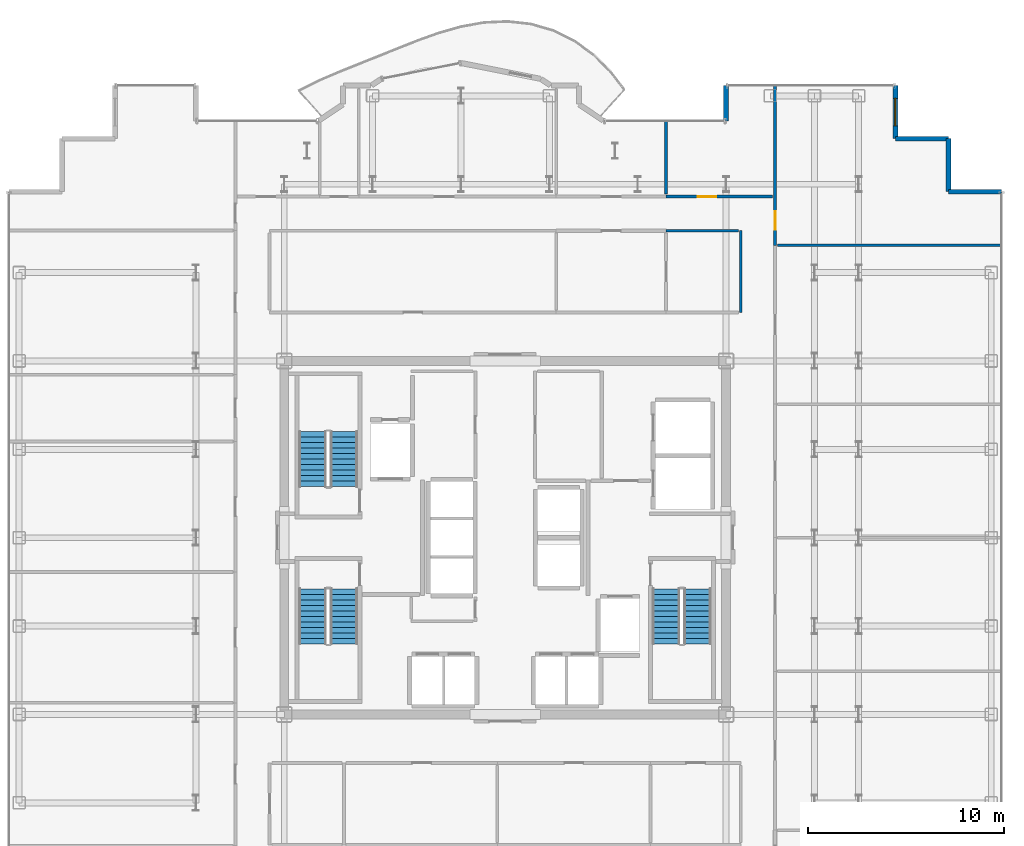
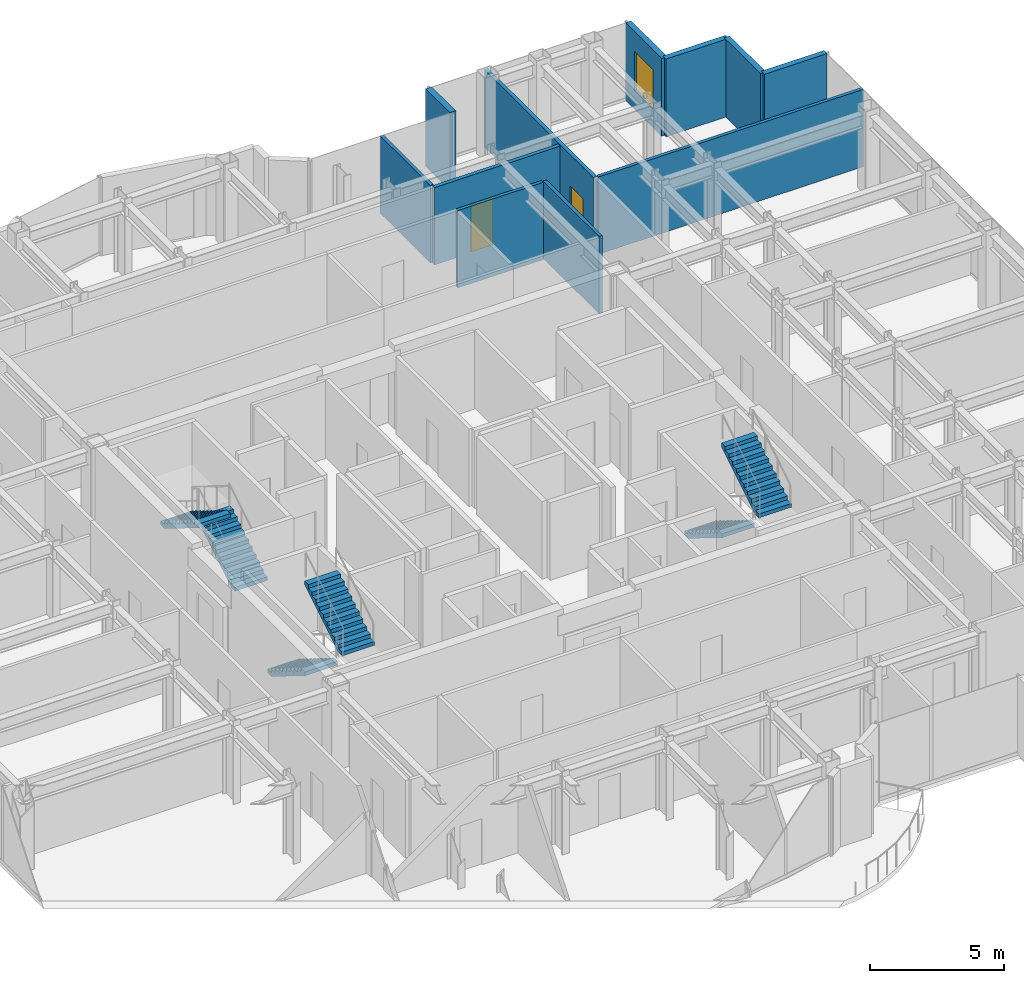
# One storey, part 19 of 21: 11 walls, 6 stair flights, 2 doors, 1 window, 3 openings, 3 elements without a shape of their own.
"""IFC4 building model written with IfcOpenShell, lengths in metres."""

from ifc_helpers import new_model, si_unit, direction, frame, frame_2d, origin, place, context, subcontext, project, spatial, polyline, rectangle, outline, extrude, source, transform, mapped, material, layer, layer_set, type_object, element, fill, aggregate, save


model = new_model("IFC4")

# Units and contexts
model_context = context("Model", 3, precision=1e-05, world=origin(), true_north=direction((0.0, 1.0)))
body_context = subcontext(model_context, "Body", "Model", "MODEL_VIEW")
ifc_project = project(units=[si_unit("LENGTHUNIT", "METRE"), si_unit("AREAUNIT", "SQUARE_METRE"), si_unit("VOLUMEUNIT", "CUBIC_METRE"), si_unit("PLANEANGLEUNIT", "RADIAN"), si_unit("MASSUNIT", "GRAM", prefix="KILO")], contexts=[model_context])

# Site, building, storey
site_placement = place(None, origin())
site = spatial("IfcSite", under=ifc_project, at=site_placement, CompositionType="ELEMENT")
building_placement = place(site_placement, origin())
building = spatial("IfcBuilding", under=site, at=building_placement, Name="Nefas-Gora Pilgrimage Tower", CompositionType="ELEMENT")
storey_placement = place(building_placement, frame((0.0, 0.0, 210.39990234375)))
storey = spatial("IfcBuildingStorey", under=building, at=storey_placement, Name="L52", CompositionType="ELEMENT", Elevation=210.39990234375)

# Walls
ifc_material_1 = material(Name="Precast concrete C40/50", Category="concrete")
ifc_layer_1 = layer(ifc_material_1, 0.260009765625)
ifc_layer_set_1 = layer_set([ifc_layer_1], Name="Precast concrete C40/50")
wall_type_1 = type_object("IfcWallType", Name="EW-PORTAL-260", PredefinedType="SOLIDWALL", material=ifc_layer_set_1)
shared_shape_1 = source(origin(), body_context, "Body", "SweptSolid", [
    extrude(rectangle(XDim=1.800048828125, YDim=0.260009765625, at=frame_2d((0.89990234375, 0.0))), origin(), (0.0, 0.0, 1.0), 3.550048828125),
])
wall_1_placement = place(storey_placement, frame((11.25, 23.02001953125, 0.0), z_axis=(0.0, 0.0, 1.0), x_axis=(0.0, -1.0, 0.0)))
element("IfcWall", 1, at=wall_1_placement, inside=storey, type_object=wall_type_1, Name="L52 Lobe Shoulder Precast Spandrel Pier 10", PredefinedType="SOLIDWALL", context=body_context, shape_type="MappedRepresentation", body=[
    mapped(shared_shape_1, transform((0.0, 0.0, 0.0), x_axis=(1.0, 0.0, 0.0), y_axis=(0.0, 1.0, 0.0), z_axis=(0.0, 0.0, 1.0), scale=1.0)),
])
ifc_material_2 = material(Name="Precast concrete C45/55", Category="concrete")
ifc_layer_2 = layer(ifc_material_2, 0.239990234375)
ifc_layer_set_2 = layer_set([ifc_layer_2], Name="Precast concrete C45/55")
wall_type_2 = type_object("IfcWallType", Name="EW-SERR-240", PredefinedType="SHEAR", material=ifc_layer_set_2)
shared_shape_2 = source(origin(), body_context, "Body", "SweptSolid", [
    extrude(rectangle(XDim=2.699951171875, YDim=0.239990234375, at=frame_2d((1.35009765625, 0.0))), origin(), (0.0, 0.0, 1.0), 3.550048828125),
])
for number, where, z_axis, x_axis, name in (
    (2, (25.27001953125, 17.6201171875, 0.0), (0.0, 0.0, 1.0), (-1.0, 0.0, 0.0), "L52 Serrated Corner Shear Pier Wall 6"),
    (3, (22.570068359375, 17.6201171875, 0.0), (0.0, 0.0, 1.0), (0.0, 1.0, 0.0), "L52 Serrated Corner Shear Pier Wall 7"),
    (4, (22.570068359375, 20.320068359375, 0.0), (0.0, 0.0, 1.0), (-1.0, 0.0, 0.0), "L52 Serrated Corner Shear Pier Wall 8"),
):
    element("IfcWall", number, at=place(storey_placement, frame(where, z_axis=z_axis, x_axis=x_axis)), inside=storey, type_object=wall_type_2, Name=name, PredefinedType="SHEAR", context=body_context, shape_type="MappedRepresentation", body=[
        mapped(shared_shape_2, transform((0.0, 0.0, 0.0), x_axis=(1.0, 0.0, 0.0), y_axis=(0.0, 1.0, 0.0), z_axis=(0.0, 0.0, 1.0), scale=1.0)),
    ])

# Wall, opening, window
wall_2_placement = place(storey_placement, frame((19.8701171875, 20.320068359375, 0.0), z_axis=(0.0, 0.0, 1.0), x_axis=(0.0, 1.0, 0.0)))
wall_2 = element("IfcWall", 5, at=wall_2_placement, inside=storey, type_object=wall_type_2, Name="L52 Serrated Corner Shear Pier Wall 9", PredefinedType="SHEAR", context=body_context, shape_type="MappedRepresentation", body=[
    mapped(shared_shape_2, transform((0.0, 0.0, 0.0), x_axis=(1.0, 0.0, 0.0), y_axis=(0.0, 1.0, 0.0), z_axis=(0.0, 0.0, 1.0), scale=1.0)),
])
opening_1_placement = place(wall_2_placement, frame((0.64990234375, 0.0, 0.85009765625)))
opening_1 = element("IfcOpeningElement", 6, at=opening_1_placement, cuts=wall_2, Name="Opening W-V2", PredefinedType="OPENING", context=body_context, shape_type="SweptSolid", body=[
    extrude(rectangle(XDim=1.39990234375, YDim=1.800048828125, at=frame_2d((0.699951171875, 0.89990234375))), frame((0.0, 0.1298828125, 0.0), z_axis=(0.0, -1.0, 0.0), x_axis=(1.0, 0.0, 0.0)), (0.0, 0.0, 1.0), 0.260009765625),
])
ifc_material_3 = material(Name="Dark ceramic-fritted operable aluminium-glass window", Category="aluminium")
window_type = type_object("IfcWindowType", Name="WIN-VENT-1400x1800", PartitioningType="SINGLE_PANEL", PredefinedType="WINDOW", material=ifc_material_3)
shared_shape_3 = source(origin(), body_context, "Body", "SweptSolid", [
    extrude(rectangle(XDim=1.39990234375, YDim=1.800048828125, at=frame_2d((0.699951171875, 0.89990234375))), frame((0.0, 0.030029296875, 0.0), z_axis=(0.0, -1.0, 0.0), x_axis=(1.0, 0.0, 0.0)), (0.0, 0.0, 1.0), 0.06005859375),
])
window_placement = place(opening_1_placement, origin())
window = element("IfcWindow", 7, at=window_placement, inside=storey, type_object=window_type, Name="L52 Operable Parallel-Outswing Window 9", OverallHeight=1.800048828125, OverallWidth=1.39990234375, PartitioningType="SINGLE_PANEL", PredefinedType="WINDOW", context=body_context, shape_type="MappedRepresentation", body=[
    mapped(shared_shape_3, transform((0.0, 0.0, 0.0), x_axis=(1.0, 0.0, 0.0), y_axis=(0.0, 1.0, 0.0), z_axis=(0.0, 0.0, 1.0), scale=1.0)),
])
fill(opening_1, window)

# Wall, opening, door
ifc_material_4 = material(Name="Gypsum acoustic stud partition")
ifc_layer_3 = layer(ifc_material_4, 0.159912109375)
ifc_layer_set_3 = layer_set([ifc_layer_3], Name="Gypsum acoustic stud partition")
wall_type_3 = type_object("IfcWallType", Name="IW-CORR-160", PredefinedType="PARTITIONING", material=ifc_layer_set_3)
shared_shape_4 = source(origin(), body_context, "Body", "SweptSolid", [
    extrude(rectangle(XDim=5.425048828125, YDim=0.159912109375, at=frame_2d((2.71240234375, 0.0))), origin(), (0.0, 0.0, 1.0), 3.53515625),
])
wall_3_placement = place(storey_placement, frame((8.195068359375, 17.3701171875, 0.0), z_axis=(0.0, 0.0, 1.0), x_axis=(1.0, 0.0, 0.0)))
wall_3 = element("IfcWall", 8, at=wall_3_placement, inside=storey, type_object=wall_type_3, Name="L52 Pilgrim Contemplative Lounge Partition Wall 64", PredefinedType="PARTITIONING", context=body_context, shape_type="MappedRepresentation", body=[
    mapped(shared_shape_4, transform((0.0, 0.0, 0.0), x_axis=(1.0, 0.0, 0.0), y_axis=(0.0, 1.0, 0.0), z_axis=(0.0, 0.0, 1.0), scale=1.0)),
])
opening_2_placement = place(wall_3_placement, frame((1.611083984375, 0.0, 0.0)))
opening_2 = element("IfcOpeningElement", 9, at=opening_2_placement, cuts=wall_3, Name="Opening ID-GR1", PredefinedType="OPENING", context=body_context, shape_type="SweptSolid", body=[
    extrude(rectangle(XDim=0.949951171875, YDim=2.10009765625, at=frame_2d((0.47509765625, 1.050048828125))), frame((0.0, 0.08984375, 0.0), z_axis=(0.0, -1.0, 0.0), x_axis=(1.0, 0.0, 0.0)), (0.0, 0.0, 1.0), 0.179931640625),
])
ifc_material_5 = material(Name="Solid core oak fire-rated guest entrance door")
door_type = type_object("IfcDoorType", Name="DR-INT-GUEST-950", OperationType="NOTDEFINED", PredefinedType="DOOR", material=ifc_material_5)
shared_shape_5 = source(origin(), body_context, "Body", "SweptSolid", [
    extrude(rectangle(XDim=0.949951171875, YDim=2.10009765625, at=frame_2d((0.47509765625, 1.050048828125))), frame((0.0, 0.02490234375, 0.0), z_axis=(0.0, -1.0, 0.0), x_axis=(1.0, 0.0, 0.0)), (0.0, 0.0, 1.0), 0.050048828125),
])
door_1_placement = place(opening_2_placement, origin())
door_1 = element("IfcDoor", 10, at=door_1_placement, inside=storey, type_object=door_type, Name="L52 Pilgrim Contemplative Lounge Door 30", OperationType="SINGLE_SWING_RIGHT", OverallHeight=2.10009765625, OverallWidth=0.949951171875, PredefinedType="DOOR", context=body_context, shape_type="MappedRepresentation", body=[
    mapped(shared_shape_5, transform((0.0, 0.0, 0.0), x_axis=(1.0, 0.0, 0.0), y_axis=(0.0, 1.0, 0.0), z_axis=(0.0, 0.0, 1.0), scale=1.0)),
])
fill(opening_2, door_1)

# Walls
ifc_material_6 = material(Name="Gypsum twin-stud partition")
ifc_layer_4 = layer(ifc_material_6, 0.139892578125)
ifc_layer_set_4 = layer_set([ifc_layer_4], Name="Gypsum twin-stud partition")
wall_type_4 = type_object("IfcWallType", Name="IW-UNIT-140", PredefinedType="PARTITIONING", material=ifc_layer_set_4)
shared_shape_6 = source(origin(), body_context, "Body", "SweptSolid", [
    extrude(rectangle(XDim=11.429931640625, YDim=0.139892578125, at=frame_2d((5.71484375, 0.0))), origin(), (0.0, 0.0, 1.0), 3.53515625),
])
wall_4_placement = place(storey_placement, frame((13.860107421875, 14.8974609375, 0.0), z_axis=(0.0, 0.0, 1.0), x_axis=(1.0, 0.0, 0.0)))
element("IfcWall", 11, at=wall_4_placement, inside=storey, type_object=wall_type_4, Name="L52 Pilgrim Contemplative Lounge Partition Wall 50", PredefinedType="PARTITIONING", context=body_context, shape_type="MappedRepresentation", body=[
    mapped(shared_shape_6, transform((0.0, 0.0, 0.0), x_axis=(1.0, 0.0, 0.0), y_axis=(0.0, 1.0, 0.0), z_axis=(0.0, 0.0, 1.0), scale=1.0)),
])
shared_shape_7 = source(origin(), body_context, "Body", "SweptSolid", [
    extrude(rectangle(XDim=3.75, YDim=0.139892578125, at=frame_2d((1.875, 0.0))), origin(), (0.0, 0.0, 1.0), 3.53515625),
])
wall_5_placement = place(storey_placement, frame((8.195068359375, 17.489990234375, 0.0), z_axis=(0.0, 0.0, 1.0), x_axis=(0.0, 1.0, 0.0)))
element("IfcWall", 12, at=wall_5_placement, inside=storey, type_object=wall_type_4, Name="L52 Pilgrim Contemplative Lounge Partition Wall 60", PredefinedType="PARTITIONING", context=body_context, shape_type="MappedRepresentation", body=[
    mapped(shared_shape_7, transform((0.0, 0.0, 0.0), x_axis=(1.0, 0.0, 0.0), y_axis=(0.0, 1.0, 0.0), z_axis=(0.0, 0.0, 1.0), scale=1.0)),
])
shared_shape_8 = source(origin(), body_context, "Body", "SweptSolid", [
    extrude(rectangle(XDim=4.179931640625, YDim=0.139892578125, at=frame_2d((2.08984375, 0.0))), origin(), (0.0, 0.0, 1.0), 3.53515625),
])
wall_6_placement = place(storey_placement, frame((12.0, 11.4599609375, 0.0), z_axis=(0.0, 0.0, 1.0), x_axis=(0.0, 1.0, 0.0)))
element("IfcWall", 13, at=wall_6_placement, inside=storey, type_object=wall_type_4, Name="L52 Pilgrim Contemplative Lounge Partition Wall 65", PredefinedType="PARTITIONING", context=body_context, shape_type="MappedRepresentation", body=[
    mapped(shared_shape_8, transform((0.0, 0.0, 0.0), x_axis=(1.0, 0.0, 0.0), y_axis=(0.0, 1.0, 0.0), z_axis=(0.0, 0.0, 1.0), scale=1.0)),
])
shared_shape_9 = source(origin(), body_context, "Body", "SweptSolid", [
    extrude(rectangle(XDim=3.69482421875, YDim=0.139892578125, at=frame_2d((1.847412109375, 0.0))), origin(), (0.0, 0.0, 1.0), 3.53515625),
])
wall_7_placement = place(storey_placement, frame((8.195068359375, 15.6298828125, 0.0), z_axis=(0.0, 0.0, 1.0), x_axis=(1.0, 0.0, 0.0)))
element("IfcWall", 14, at=wall_7_placement, inside=storey, type_object=wall_type_4, Name="L52 Pilgrim Contemplative Lounge Partition Wall 66", PredefinedType="PARTITIONING", context=body_context, shape_type="MappedRepresentation", body=[
    mapped(shared_shape_9, transform((0.0, 0.0, 0.0), x_axis=(1.0, 0.0, 0.0), y_axis=(0.0, 1.0, 0.0), z_axis=(0.0, 0.0, 1.0), scale=1.0)),
])

# Wall, opening, door
shared_shape_10 = source(origin(), body_context, "Body", "SweptSolid", [
    extrude(rectangle(XDim=8.152587890625, YDim=0.159912109375, at=frame_2d((4.076171875, 0.0))), origin(), (0.0, 0.0, 1.0), 3.53515625),
])
wall_8_placement = place(storey_placement, frame((13.739990234375, 14.887451171875, 0.0), z_axis=(0.0, 0.0, 1.0), x_axis=(0.0, 1.0, 0.0)))
wall_8 = element("IfcWall", 15, at=wall_8_placement, inside=storey, type_object=wall_type_3, Name="L52 Pilgrim Contemplative Lounge Partition Wall 49", PredefinedType="PARTITIONING", context=body_context, shape_type="MappedRepresentation", body=[
    mapped(shared_shape_10, transform((0.0, 0.0, 0.0), x_axis=(1.0, 0.0, 0.0), y_axis=(0.0, 1.0, 0.0), z_axis=(0.0, 0.0, 1.0), scale=1.0)),
])
opening_3_placement = place(wall_8_placement, frame((0.786376953125, 0.0, 0.0)))
opening_3 = element("IfcOpeningElement", 16, at=opening_3_placement, cuts=wall_8, Name="Opening ID-GR1", PredefinedType="OPENING", context=body_context, shape_type="SweptSolid", body=[
    extrude(rectangle(XDim=0.949951171875, YDim=2.10009765625, at=frame_2d((0.47509765625, 1.050048828125))), frame((0.0, 0.08984375, 0.0), z_axis=(0.0, -1.0, 0.0), x_axis=(1.0, 0.0, 0.0)), (0.0, 0.0, 1.0), 0.179931640625),
])
door_2_placement = place(opening_3_placement, origin())
door_2 = element("IfcDoor", 17, at=door_2_placement, inside=storey, type_object=door_type, Name="L52 Pilgrim Contemplative Lounge Door 22", OperationType="SINGLE_SWING_RIGHT", OverallHeight=2.10009765625, OverallWidth=0.949951171875, PredefinedType="DOOR", context=body_context, shape_type="MappedRepresentation", body=[
    mapped(shared_shape_5, transform((0.0, 0.0, 0.0), x_axis=(1.0, 0.0, 0.0), y_axis=(0.0, 1.0, 0.0), z_axis=(0.0, 0.0, 1.0), scale=1.0)),
])
fill(opening_3, door_2)

# Stair, stair flights
ifc_material_7 = material(Name="Concrete C45/55", Category="concrete")
stair_type = type_object("IfcStairType", Name="STR-1400-R1727", PredefinedType="HALF_TURN_STAIR", material=ifc_material_7)
stair_1_placement = place(storey_placement, origin())
stair_1 = element("IfcStair", 18, at=stair_1_placement, inside=storey, type_object=stair_type, Name="L52 Pressurised Tower Exit Stair ST-01", PredefinedType="HALF_TURN_STAIR")
stair_flight_type = type_object("IfcStairFlightType", Name="STF-1400-R1727", PredefinedType="STRAIGHT", material=ifc_material_7)
shared_shape_11 = source(origin(), body_context, "Body", "SweptSolid", [
    extrude(outline(polyline([(0.0, 0.0), (0.0, 0.172607421875), (0.280029296875, 0.172607421875), (0.280029296875, 0.345458984375), (0.56005859375, 0.345458984375), (0.56005859375, 0.51806640625), (0.840087890625, 0.51806640625), (0.840087890625, 0.69091796875), (1.1201171875, 0.69091796875), (1.1201171875, 0.863525390625), (1.39990234375, 0.863525390625), (1.39990234375, 1.036376953125), (1.679931640625, 1.036376953125), (1.679931640625, 1.208984375), (1.9599609375, 1.208984375), (1.9599609375, 1.3818359375), (2.239990234375, 1.3818359375), (2.239990234375, 1.554443359375), (2.52001953125, 1.554443359375), (2.52001953125, 1.727294921875), (2.800048828125, 1.727294921875), (2.800048828125, 1.89990234375), (2.800048828125, 1.551025390625), (0.285400390625, 0.0), (0.0, 0.0)])), frame((0.0, 0.699951171875, 0.0), z_axis=(0.0, -1.0, 0.0), x_axis=(1.0, 0.0, 0.0)), (0.0, 0.0, 1.0), 1.39990234375),
])
stair_flight_1_placement = place(storey_placement, frame((-8.199951171875, 2.60009765625, 0.0), z_axis=(0.0, 0.0, 1.0), x_axis=(0.0, 1.0, 0.0)))
stair_flight_1 = element("IfcStairFlight", 19, at=stair_flight_1_placement, type_object=stair_flight_type, Name="ST-01 flight 1", NumberOfRisers=11, NumberOfTreads=10, PredefinedType="STRAIGHT", RiserHeight=0.172727273, TreadLength=0.28, context=body_context, shape_type="MappedRepresentation", body=[
    mapped(shared_shape_11, transform((0.0, 0.0, 0.0), x_axis=(1.0, 0.0, 0.0), y_axis=(0.0, 1.0, 0.0), z_axis=(0.0, 0.0, 1.0), scale=1.0)),
])
stair_flight_2_placement = place(storey_placement, frame((-9.800048828125, 5.39990234375, 1.900146484375), z_axis=(0.0, 0.0, 1.0), x_axis=(0.0, -1.0, 0.0)))
stair_flight_2 = element("IfcStairFlight", 20, at=stair_flight_2_placement, type_object=stair_flight_type, Name="ST-01 flight 2", NumberOfRisers=11, NumberOfTreads=10, PredefinedType="STRAIGHT", RiserHeight=0.172727273, TreadLength=0.28, context=body_context, shape_type="MappedRepresentation", body=[
    mapped(shared_shape_11, transform((0.0, 0.0, 0.0), x_axis=(1.0, 0.0, 0.0), y_axis=(0.0, 1.0, 0.0), z_axis=(0.0, 0.0, 1.0), scale=1.0)),
])
aggregate(stair_1, [stair_flight_1, stair_flight_2])

stair_2_placement = place(storey_placement, origin())
stair_2 = element("IfcStair", 21, at=stair_2_placement, inside=storey, type_object=stair_type, Name="L52 Pressurised Tower Exit Stair ST-02", PredefinedType="HALF_TURN_STAIR")
stair_flight_3_placement = place(storey_placement, frame((8.199951171875, -2.60009765625, 0.0), z_axis=(0.0, 0.0, 1.0), x_axis=(0.0, -1.0, 0.0)))
stair_flight_3 = element("IfcStairFlight", 22, at=stair_flight_3_placement, type_object=stair_flight_type, Name="ST-02 flight 1", NumberOfRisers=11, NumberOfTreads=10, PredefinedType="STRAIGHT", RiserHeight=0.172727273, TreadLength=0.28, context=body_context, shape_type="MappedRepresentation", body=[
    mapped(shared_shape_11, transform((0.0, 0.0, 0.0), x_axis=(1.0, 0.0, 0.0), y_axis=(0.0, 1.0, 0.0), z_axis=(0.0, 0.0, 1.0), scale=1.0)),
])
stair_flight_4_placement = place(storey_placement, frame((9.800048828125, -5.39990234375, 1.900146484375), z_axis=(0.0, 0.0, 1.0), x_axis=(0.0, 1.0, 0.0)))
stair_flight_4 = element("IfcStairFlight", 23, at=stair_flight_4_placement, type_object=stair_flight_type, Name="ST-02 flight 2", NumberOfRisers=11, NumberOfTreads=10, PredefinedType="STRAIGHT", RiserHeight=0.172727273, TreadLength=0.28, context=body_context, shape_type="MappedRepresentation", body=[
    mapped(shared_shape_11, transform((0.0, 0.0, 0.0), x_axis=(1.0, 0.0, 0.0), y_axis=(0.0, 1.0, 0.0), z_axis=(0.0, 0.0, 1.0), scale=1.0)),
])
aggregate(stair_2, [stair_flight_3, stair_flight_4])

stair_3_placement = place(storey_placement, origin())
stair_3 = element("IfcStair", 24, at=stair_3_placement, inside=storey, type_object=stair_type, Name="L52 Pressurised Tower Exit Stair ST-03", PredefinedType="HALF_TURN_STAIR")
stair_flight_5_placement = place(storey_placement, frame((-9.800048828125, -2.60009765625, 0.0), z_axis=(0.0, 0.0, 1.0), x_axis=(0.0, -1.0, 0.0)))
stair_flight_5 = element("IfcStairFlight", 25, at=stair_flight_5_placement, type_object=stair_flight_type, Name="ST-03 flight 1", NumberOfRisers=11, NumberOfTreads=10, PredefinedType="STRAIGHT", RiserHeight=0.172727273, TreadLength=0.28, context=body_context, shape_type="MappedRepresentation", body=[
    mapped(shared_shape_11, transform((0.0, 0.0, 0.0), x_axis=(1.0, 0.0, 0.0), y_axis=(0.0, 1.0, 0.0), z_axis=(0.0, 0.0, 1.0), scale=1.0)),
])
stair_flight_6_placement = place(storey_placement, frame((-8.199951171875, -5.39990234375, 1.900146484375), z_axis=(0.0, 0.0, 1.0), x_axis=(0.0, 1.0, 0.0)))
stair_flight_6 = element("IfcStairFlight", 26, at=stair_flight_6_placement, type_object=stair_flight_type, Name="ST-03 flight 2", NumberOfRisers=11, NumberOfTreads=10, PredefinedType="STRAIGHT", RiserHeight=0.172727273, TreadLength=0.28, context=body_context, shape_type="MappedRepresentation", body=[
    mapped(shared_shape_11, transform((0.0, 0.0, 0.0), x_axis=(1.0, 0.0, 0.0), y_axis=(0.0, 1.0, 0.0), z_axis=(0.0, 0.0, 1.0), scale=1.0)),
])
aggregate(stair_3, [stair_flight_5, stair_flight_6])

save(model, "model.ifc")
